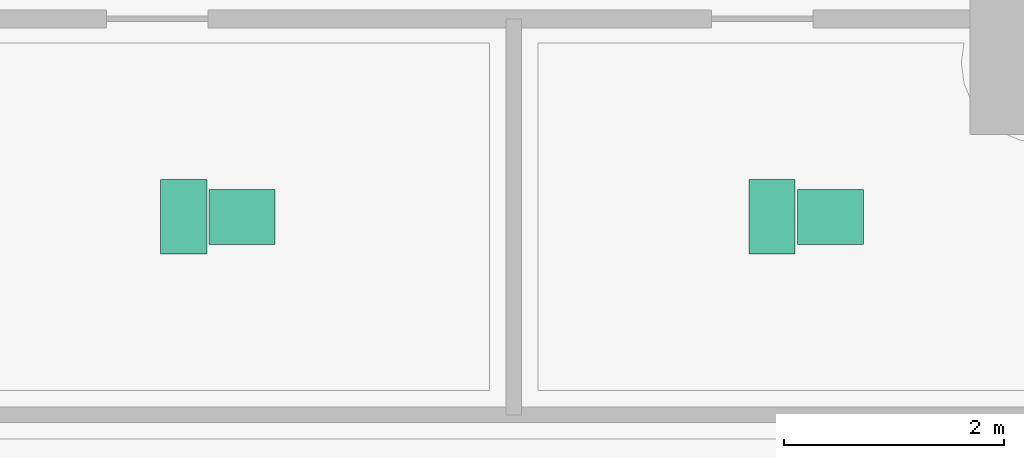
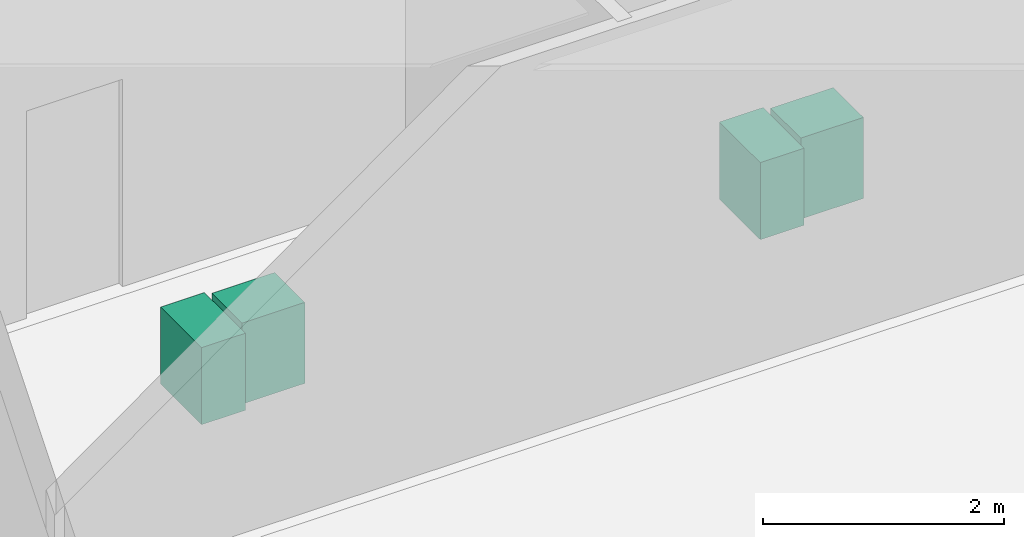
# One storey, part 21 of 22: 4 sanitary terminals.
"""IFC4 building model written with IfcOpenShell, lengths in metres."""

from ifc_helpers import new_model, si_unit, direction, frame, origin, origin_2d, place, context, subcontext, project, spatial, rectangle, extrude, source, transform, mapped, material, type_object, type_shapes, element, save


model = new_model("IFC4")

# Units and contexts
model_context = context("Model", 3, precision=1e-05, world=origin(), true_north=direction((0.0, 1.0)))
body_context = subcontext(model_context, "Body", "Model", "MODEL_VIEW")
ifc_project = project(units=[si_unit("LENGTHUNIT", "METRE"), si_unit("AREAUNIT", "SQUARE_METRE"), si_unit("VOLUMEUNIT", "CUBIC_METRE"), si_unit("PLANEANGLEUNIT", "RADIAN"), si_unit("MASSUNIT", "GRAM", prefix="KILO")], contexts=[model_context])

# Site, building, storey
site_placement = place(None, origin())
site = spatial("IfcSite", under=ifc_project, at=site_placement, CompositionType="ELEMENT")
building_placement = place(site_placement, origin())
building = spatial("IfcBuilding", under=site, at=building_placement, Name="Norrkilde Senior Care Towers", CompositionType="ELEMENT")
storey_placement = place(building_placement, frame((0.0, 0.0, 4.199951171875)))
storey = spatial("IfcBuildingStorey", under=building, at=storey_placement, Name="L01", CompositionType="ELEMENT", Elevation=4.199951171875)

# Sanitary terminals
ifc_material = material(Name="Porcelain Ceramic")
sanitary_terminal_type_1 = type_object("IfcSanitaryTerminalType", Name="Accessible Senior WC Suite", PredefinedType="TOILETPAN", material=ifc_material)
shared_shape_1 = source(origin(), body_context, "Body", "SweptSolid", [
    extrude(rectangle(XDim=0.419921875, YDim=0.679931640625, at=origin_2d()), origin(), (0.0, 0.0, 1.0), 0.780029296875),
])
type_shapes(sanitary_terminal_type_1, [shared_shape_1])
for number, where, z_axis, x_axis, name in (
    (1, (9.0, 4.60009765625, 0.0), (0.0, 0.0, 1.0), (1.0, 0.0, 0.0), "L01 Accessible WC Pan 0003"),
    (2, (14.35009765625, 4.60009765625, 0.0), (0.0, 0.0, 1.0), (1.0, 0.0, 0.0), "L01 Accessible WC Pan 0004"),
):
    element("IfcSanitaryTerminal", number, at=place(storey_placement, frame(where, z_axis=z_axis, x_axis=x_axis)), inside=storey, type_object=sanitary_terminal_type_1, Name=name, PredefinedType="TOILETPAN", context=body_context, shape_type="MappedRepresentation", body=[
        mapped(shared_shape_1, transform((0.0, 0.0, 0.0), x_axis=(1.0, 0.0, 0.0), y_axis=(0.0, 1.0, 0.0), z_axis=(0.0, 0.0, 1.0), scale=1.0)),
    ])
sanitary_terminal_type_2 = type_object("IfcSanitaryTerminalType", Name="Thermostatic Care Washbasin", PredefinedType="WASHHANDBASIN", material=ifc_material)
shared_shape_2 = source(origin(), body_context, "Body", "SweptSolid", [
    extrude(rectangle(XDim=0.60009765625, YDim=0.5, at=origin_2d()), origin(), (0.0, 0.0, 1.0), 0.820068359375),
])
type_shapes(sanitary_terminal_type_2, [shared_shape_2])
for number, where, z_axis, x_axis, name in (
    (3, (9.530029296875, 4.60009765625, 0.0), (0.0, 0.0, 1.0), (1.0, 0.0, 0.0), "L01 Accessible Washbasin 0003"),
    (4, (14.8798828125, 4.60009765625, 0.0), (0.0, 0.0, 1.0), (1.0, 0.0, 0.0), "L01 Accessible Washbasin 0004"),
):
    element("IfcSanitaryTerminal", number, at=place(storey_placement, frame(where, z_axis=z_axis, x_axis=x_axis)), inside=storey, type_object=sanitary_terminal_type_2, Name=name, PredefinedType="WASHHANDBASIN", context=body_context, shape_type="MappedRepresentation", body=[
        mapped(shared_shape_2, transform((0.0, 0.0, 0.0), x_axis=(1.0, 0.0, 0.0), y_axis=(0.0, 1.0, 0.0), z_axis=(0.0, 0.0, 1.0), scale=1.0)),
    ])

save(model, "model.ifc")
